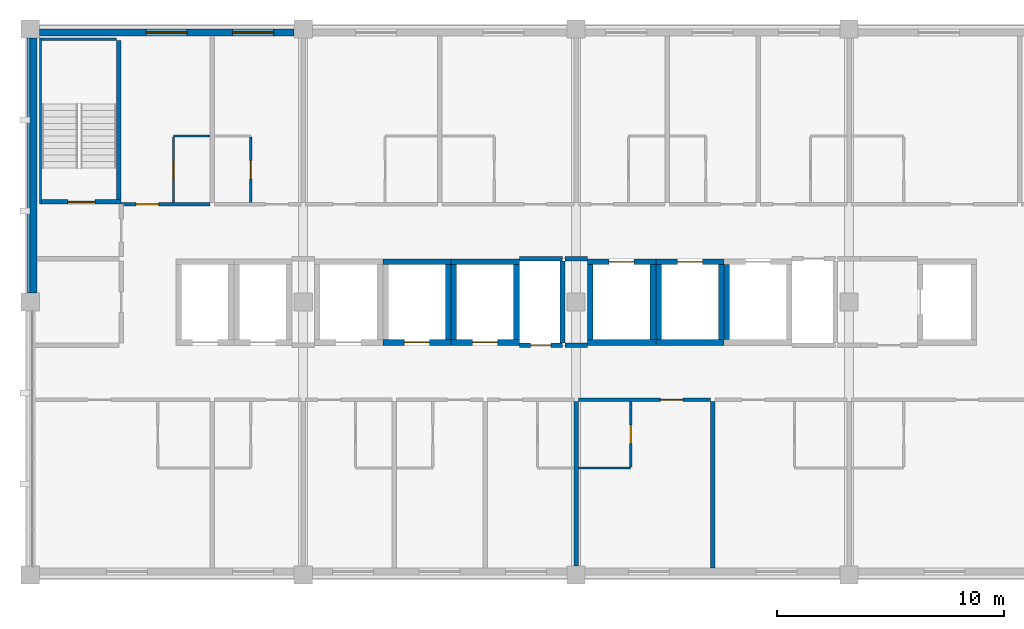
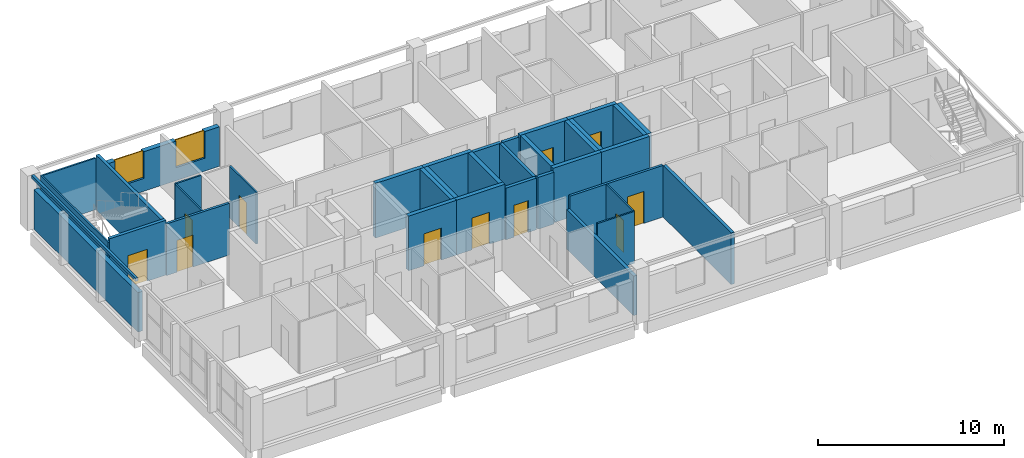
# One storey, part 7 of 11: 37 walls, 11 doors, 2 windows, 13 openings.
"""IFC4 building model written with IfcOpenShell, lengths in metres."""

from ifc_helpers import new_model, si_unit, direction, frame, frame_2d, origin, place, context, subcontext, project, spatial, rectangle, extrude, material, layer, layer_set, type_object, element, fill, save


model = new_model("IFC4")

# Units and contexts
model_context = context("Model", 3, precision=1e-05, world=origin(), true_north=direction((0.0, 1.0)))
body_context = subcontext(model_context, "Body", "Model", "MODEL_VIEW")
ifc_project = project(units=[si_unit("LENGTHUNIT", "METRE"), si_unit("AREAUNIT", "SQUARE_METRE"), si_unit("VOLUMEUNIT", "CUBIC_METRE"), si_unit("PLANEANGLEUNIT", "RADIAN"), si_unit("MASSUNIT", "GRAM", prefix="KILO")], contexts=[model_context])

# Site, building, storey
site_placement = place(None, origin())
site = spatial("IfcSite", under=ifc_project, at=site_placement, CompositionType="ELEMENT")
building_placement = place(site_placement, origin())
building = spatial("IfcBuilding", under=site, at=building_placement, Name="Lilac Gate Convention Centre", CompositionType="ELEMENT")
storey_placement = place(building_placement, frame((0.0, 0.0, 46.199951171875)))
storey = spatial("IfcBuildingStorey", under=building, at=storey_placement, Name="L11", CompositionType="ELEMENT", Elevation=46.199951171875)

# Walls
ifc_material_1 = material(Name="Concrete C50", Category="concrete")
ifc_layer_1 = layer(ifc_material_1, 0.10009765625)
ifc_layer_set_1 = layer_set([ifc_layer_1], Name="Concrete C50")
wall_type_1 = type_object("IfcWallType", Name="Core wall 100 C50", PredefinedType="SHEAR", material=ifc_layer_set_1)
wall_1_placement = place(storey_placement, frame((42.449951171875, 238.300048828125, 0.0), z_axis=(0.0, 0.0, 1.0), x_axis=(0.0, 1.0, 0.0)))
element("IfcWall", 1, at=wall_1_placement, inside=storey, type_object=wall_type_1, Name="CRW9 core wall TS-WX L11 1", PredefinedType="SHEAR", context=body_context, shape_type="SweptSolid", body=[
    extrude(rectangle(XDim=7.300048828125, YDim=0.10009765625, at=frame_2d((3.64990234375, 0.0))), origin(), (0.0, 0.0, 1.0), 3.400146484375),
])
wall_2_placement = place(storey_placement, frame((42.5, 245.550048828125, 0.0), z_axis=(0.0, 0.0, 1.0), x_axis=(1.0, 0.0, 0.0)))
element("IfcWall", 2, at=wall_2_placement, inside=storey, type_object=wall_type_1, Name="CRW9 core wall TS-WX L11 2", PredefinedType="SHEAR", context=body_context, shape_type="SweptSolid", body=[
    extrude(rectangle(XDim=3.300048828125, YDim=0.10009765625, at=frame_2d((1.64990234375, 0.0))), origin(), (0.0, 0.0, 1.0), 3.400146484375),
])

# Wall, opening, door
ifc_layer_2 = layer(ifc_material_1, 0.199951171875)
ifc_layer_set_2 = layer_set([ifc_layer_2], Name="Concrete C50")
wall_type_2 = type_object("IfcWallType", Name="Core wall 200 C50", PredefinedType="SHEAR", material=ifc_layer_set_2)
wall_3_placement = place(storey_placement, frame((42.5, 238.39990234375, 0.0), z_axis=(0.0, 0.0, 1.0), x_axis=(1.0, 0.0, 0.0)))
wall_3 = element("IfcWall", 3, at=wall_3_placement, inside=storey, type_object=wall_type_2, Name="CRW6 core wall TS-W L11 1", PredefinedType="SHEAR", context=body_context, shape_type="SweptSolid", body=[
    extrude(rectangle(XDim=3.5, YDim=0.199951171875, at=frame_2d((1.75, 0.0))), origin(), (0.0, 0.0, 1.0), 3.60009765625),
])
opening_1_placement = place(wall_3_placement, frame((1.14990234375, 0.0, 0.0)))
opening_1 = element("IfcOpeningElement", 4, at=opening_1_placement, cuts=wall_3, Name="Opening T10-051", PredefinedType="OPENING", context=body_context, shape_type="SweptSolid", body=[
    extrude(rectangle(XDim=1.199951171875, YDim=2.10009765625, at=frame_2d((0.60009765625, 1.050048828125))), frame((0.0, 0.10986328125, 0.0), z_axis=(0.0, -1.0, 0.0), x_axis=(1.0, 0.0, 0.0)), (0.0, 0.0, 1.0), 0.219970703125),
])
ifc_material_2 = material(Name="Steel Q235B", Category="steel")
door_type_1 = type_object("IfcDoorType", Name="Stair door 1200", OperationType="SINGLE_SWING_LEFT", PredefinedType="DOOR", material=ifc_material_2)
door_1_placement = place(opening_1_placement, origin())
door_1 = element("IfcDoor", 5, at=door_1_placement, inside=storey, type_object=door_type_1, Name="Stair door NW L11", OperationType="SINGLE_SWING_RIGHT", OverallHeight=2.10009765625, OverallWidth=1.199951171875, PredefinedType="DOOR", context=body_context, shape_type="SweptSolid", body=[
    extrude(rectangle(XDim=1.199951171875, YDim=2.10009765625, at=frame_2d((0.60009765625, 1.050048828125))), frame((0.0, 0.02490234375, 0.0), z_axis=(0.0, -1.0, 0.0), x_axis=(1.0, 0.0, 0.0)), (0.0, 0.0, 1.0), 0.050048828125),
])
fill(opening_1, door_1)

# Wall
wall_4_placement = place(storey_placement, frame((45.89990234375, 238.5, 0.0), z_axis=(0.0, 0.0, 1.0), x_axis=(0.0, 1.0, 0.0)))
element("IfcWall", 6, at=wall_4_placement, inside=storey, type_object=wall_type_2, Name="CRW6 core wall TS-W L11 2", PredefinedType="SHEAR", context=body_context, shape_type="SweptSolid", body=[
    extrude(rectangle(XDim=7.0, YDim=0.199951171875, at=frame_2d((3.5, 0.0))), origin(), (0.0, 0.0, 1.0), 3.60009765625),
])

# Wall, opening, door
ifc_layer_3 = layer(ifc_material_1, 0.25)
ifc_layer_set_3 = layer_set([ifc_layer_3], Name="Concrete C50")
wall_type_3 = type_object("IfcWallType", Name="Core wall 250 C50", PredefinedType="SHEAR", material=ifc_layer_set_3)
wall_5_placement = place(storey_placement, frame((57.5, 232.22509765625, 0.0), z_axis=(0.0, 0.0, 1.0), x_axis=(1.0, 0.0, 0.0)))
wall_5 = element("IfcWall", 7, at=wall_5_placement, inside=storey, type_object=wall_type_3, Name="CRW4 core wall TC L11 5", PredefinedType="SHEAR", context=body_context, shape_type="SweptSolid", body=[
    extrude(rectangle(XDim=3.0, YDim=0.25, at=frame_2d((1.5, 0.0))), origin(), (0.0, 0.0, 1.0), 3.60009765625),
])
opening_2_placement = place(wall_5_placement, frame((0.949951171875, 0.0, 0.0)))
opening_2 = element("IfcOpeningElement", 8, at=opening_2_placement, cuts=wall_5, Name="Opening T10-043", PredefinedType="OPENING", context=body_context, shape_type="SweptSolid", body=[
    extrude(rectangle(XDim=1.10009765625, YDim=2.10009765625, at=frame_2d((0.550048828125, 1.050048828125))), frame((0.0, 0.135009765625, 0.0), z_axis=(0.0, -1.0, 0.0), x_axis=(1.0, 0.0, 0.0)), (0.0, 0.0, 1.0), 0.27001953125),
])
ifc_material_3 = material(Name="Stainless steel 304", Category="steel")
door_type_2 = type_object("IfcDoorType", Name="Lift landing door 1100", OperationType="SLIDING_TO_LEFT", PredefinedType="DOOR", material=ifc_material_3)
door_2_placement = place(opening_2_placement, origin())
door_2 = element("IfcDoor", 9, at=door_2_placement, inside=storey, type_object=door_type_2, Name="Lift landing door TP2 L11", OperationType="SLIDING_TO_LEFT", OverallHeight=2.10009765625, OverallWidth=1.10009765625, PredefinedType="DOOR", context=body_context, shape_type="SweptSolid", body=[
    extrude(rectangle(XDim=1.10009765625, YDim=2.10009765625, at=frame_2d((0.550048828125, 1.050048828125))), frame((0.0, 0.02490234375, 0.0), z_axis=(0.0, -1.0, 0.0), x_axis=(1.0, 0.0, 0.0)), (0.0, 0.0, 1.0), 0.050048828125),
])
fill(opening_2, door_2)

# Walls
wall_6_placement = place(storey_placement, frame((57.5, 235.77490234375, 0.0), z_axis=(0.0, 0.0, 1.0), x_axis=(1.0, 0.0, 0.0)))
element("IfcWall", 10, at=wall_6_placement, inside=storey, type_object=wall_type_3, Name="CRW4 core wall TC L11 6", PredefinedType="SHEAR", context=body_context, shape_type="SweptSolid", body=[
    extrude(rectangle(XDim=3.0, YDim=0.25, at=frame_2d((1.5, 0.0))), origin(), (0.0, 0.0, 1.0), 3.60009765625),
])
wall_7_placement = place(storey_placement, frame((60.375, 232.35009765625, 0.0), z_axis=(0.0, 0.0, 1.0), x_axis=(0.0, 1.0, 0.0)))
element("IfcWall", 11, at=wall_7_placement, inside=storey, type_object=wall_type_3, Name="CRW4 core wall TC L11 8", PredefinedType="SHEAR", context=body_context, shape_type="SweptSolid", body=[
    extrude(rectangle(XDim=3.2998046875, YDim=0.25, at=frame_2d((1.64990234375, 0.0))), origin(), (0.0, 0.0, 1.0), 3.60009765625),
])

# Wall, opening, door
wall_8_placement = place(storey_placement, frame((60.5, 232.22509765625, 0.0), z_axis=(0.0, 0.0, 1.0), x_axis=(1.0, 0.0, 0.0)))
wall_8 = element("IfcWall", 12, at=wall_8_placement, inside=storey, type_object=wall_type_3, Name="CRW4 core wall TC L11 9", PredefinedType="SHEAR", context=body_context, shape_type="SweptSolid", body=[
    extrude(rectangle(XDim=3.0, YDim=0.25, at=frame_2d((1.5, 0.0))), origin(), (0.0, 0.0, 1.0), 3.60009765625),
])
opening_3_placement = place(wall_8_placement, frame((0.949951171875, 0.0, 0.0)))
opening_3 = element("IfcOpeningElement", 13, at=opening_3_placement, cuts=wall_8, Name="Opening T10-044", PredefinedType="OPENING", context=body_context, shape_type="SweptSolid", body=[
    extrude(rectangle(XDim=1.10009765625, YDim=2.10009765625, at=frame_2d((0.550048828125, 1.050048828125))), frame((0.0, 0.135009765625, 0.0), z_axis=(0.0, -1.0, 0.0), x_axis=(1.0, 0.0, 0.0)), (0.0, 0.0, 1.0), 0.27001953125),
])
door_3_placement = place(opening_3_placement, origin())
door_3 = element("IfcDoor", 14, at=door_3_placement, inside=storey, type_object=door_type_2, Name="Lift landing door TP3 L11", OperationType="SLIDING_TO_LEFT", OverallHeight=2.10009765625, OverallWidth=1.10009765625, PredefinedType="DOOR", context=body_context, shape_type="SweptSolid", body=[
    extrude(rectangle(XDim=1.10009765625, YDim=2.10009765625, at=frame_2d((0.550048828125, 1.050048828125))), frame((0.0, 0.02490234375, 0.0), z_axis=(0.0, -1.0, 0.0), x_axis=(1.0, 0.0, 0.0)), (0.0, 0.0, 1.0), 0.050048828125),
])
fill(opening_3, door_3)

# Walls
wall_9_placement = place(storey_placement, frame((60.5, 235.77490234375, 0.0), z_axis=(0.0, 0.0, 1.0), x_axis=(1.0, 0.0, 0.0)))
element("IfcWall", 15, at=wall_9_placement, inside=storey, type_object=wall_type_3, Name="CRW4 core wall TC L11 10", PredefinedType="SHEAR", context=body_context, shape_type="SweptSolid", body=[
    extrude(rectangle(XDim=3.0, YDim=0.25, at=frame_2d((1.5, 0.0))), origin(), (0.0, 0.0, 1.0), 3.60009765625),
])
for number, where, z_axis, x_axis, name in (
    (16, (60.625, 232.35009765625, 0.0), (0.0, 0.0, 1.0), (0.0, 1.0, 0.0), "CRW4 core wall TC L11 11"),
    (17, (63.375, 232.35009765625, 0.0), (0.0, 0.0, 1.0), (0.0, 1.0, 0.0), "CRW4 core wall TC L11 12"),
):
    element("IfcWall", number, at=place(storey_placement, frame(where, z_axis=z_axis, x_axis=x_axis)), inside=storey, type_object=wall_type_3, Name=name, PredefinedType="SHEAR", context=body_context, shape_type="SweptSolid", body=[
        extrude(rectangle(XDim=3.2998046875, YDim=0.25, at=frame_2d((1.64990234375, 0.0))), origin(), (0.0, 0.0, 1.0), 3.60009765625),
    ])
wall_10_placement = place(storey_placement, frame((66.5, 232.22509765625, 0.0), z_axis=(0.0, 0.0, 1.0), x_axis=(1.0, 0.0, 0.0)))
element("IfcWall", 18, at=wall_10_placement, inside=storey, type_object=wall_type_3, Name="CRW4 core wall TC L11 13", PredefinedType="SHEAR", context=body_context, shape_type="SweptSolid", body=[
    extrude(rectangle(XDim=3.0, YDim=0.25, at=frame_2d((1.5, 0.0))), origin(), (0.0, 0.0, 1.0), 3.60009765625),
])

# Wall, opening, door
wall_11_placement = place(storey_placement, frame((66.5, 235.77490234375, 0.0), z_axis=(0.0, 0.0, 1.0), x_axis=(1.0, 0.0, 0.0)))
wall_11 = element("IfcWall", 19, at=wall_11_placement, inside=storey, type_object=wall_type_3, Name="CRW4 core wall TC L11 14", PredefinedType="SHEAR", context=body_context, shape_type="SweptSolid", body=[
    extrude(rectangle(XDim=3.0, YDim=0.25, at=frame_2d((1.5, 0.0))), origin(), (0.0, 0.0, 1.0), 3.60009765625),
])
opening_4_placement = place(wall_11_placement, frame((0.949951171875, 0.0, 0.0)))
opening_4 = element("IfcOpeningElement", 20, at=opening_4_placement, cuts=wall_11, Name="Opening T10-045", PredefinedType="OPENING", context=body_context, shape_type="SweptSolid", body=[
    extrude(rectangle(XDim=1.10009765625, YDim=2.10009765625, at=frame_2d((0.550048828125, 1.050048828125))), frame((0.0, 0.135009765625, 0.0), z_axis=(0.0, -1.0, 0.0), x_axis=(1.0, 0.0, 0.0)), (0.0, 0.0, 1.0), 0.27001953125),
])
door_4_placement = place(opening_4_placement, origin())
door_4 = element("IfcDoor", 21, at=door_4_placement, inside=storey, type_object=door_type_2, Name="Lift landing door TP4 L11", OperationType="SLIDING_TO_LEFT", OverallHeight=2.10009765625, OverallWidth=1.10009765625, PredefinedType="DOOR", context=body_context, shape_type="SweptSolid", body=[
    extrude(rectangle(XDim=1.10009765625, YDim=2.10009765625, at=frame_2d((0.550048828125, 1.050048828125))), frame((0.0, 0.02490234375, 0.0), z_axis=(0.0, -1.0, 0.0), x_axis=(1.0, 0.0, 0.0)), (0.0, 0.0, 1.0), 0.050048828125),
])
fill(opening_4, door_4)

# Walls
for number, where, z_axis, x_axis, name in (
    (22, (66.625, 232.35009765625, 0.0), (0.0, 0.0, 1.0), (0.0, 1.0, 0.0), "CRW4 core wall TC L11 15"),
    (23, (69.375, 232.35009765625, 0.0), (0.0, 0.0, 1.0), (0.0, 1.0, 0.0), "CRW4 core wall TC L11 16"),
):
    element("IfcWall", number, at=place(storey_placement, frame(where, z_axis=z_axis, x_axis=x_axis)), inside=storey, type_object=wall_type_3, Name=name, PredefinedType="SHEAR", context=body_context, shape_type="SweptSolid", body=[
        extrude(rectangle(XDim=3.2998046875, YDim=0.25, at=frame_2d((1.64990234375, 0.0))), origin(), (0.0, 0.0, 1.0), 3.60009765625),
    ])
wall_12_placement = place(storey_placement, frame((69.5, 232.22509765625, 0.0), z_axis=(0.0, 0.0, 1.0), x_axis=(1.0, 0.0, 0.0)))
element("IfcWall", 24, at=wall_12_placement, inside=storey, type_object=wall_type_3, Name="CRW4 core wall TC L11 17", PredefinedType="SHEAR", context=body_context, shape_type="SweptSolid", body=[
    extrude(rectangle(XDim=3.0, YDim=0.25, at=frame_2d((1.5, 0.0))), origin(), (0.0, 0.0, 1.0), 3.60009765625),
])

# Wall, opening, door
wall_13_placement = place(storey_placement, frame((69.5, 235.77490234375, 0.0), z_axis=(0.0, 0.0, 1.0), x_axis=(1.0, 0.0, 0.0)))
wall_13 = element("IfcWall", 25, at=wall_13_placement, inside=storey, type_object=wall_type_3, Name="CRW4 core wall TC L11 18", PredefinedType="SHEAR", context=body_context, shape_type="SweptSolid", body=[
    extrude(rectangle(XDim=3.0, YDim=0.25, at=frame_2d((1.5, 0.0))), origin(), (0.0, 0.0, 1.0), 3.60009765625),
])
opening_5_placement = place(wall_13_placement, frame((0.949951171875, 0.0, 0.0)))
opening_5 = element("IfcOpeningElement", 26, at=opening_5_placement, cuts=wall_13, Name="Opening T10-046", PredefinedType="OPENING", context=body_context, shape_type="SweptSolid", body=[
    extrude(rectangle(XDim=1.10009765625, YDim=2.10009765625, at=frame_2d((0.550048828125, 1.050048828125))), frame((0.0, 0.135009765625, 0.0), z_axis=(0.0, -1.0, 0.0), x_axis=(1.0, 0.0, 0.0)), (0.0, 0.0, 1.0), 0.27001953125),
])
door_5_placement = place(opening_5_placement, origin())
door_5 = element("IfcDoor", 27, at=door_5_placement, inside=storey, type_object=door_type_2, Name="Lift landing door TP5 L11", OperationType="SLIDING_TO_LEFT", OverallHeight=2.10009765625, OverallWidth=1.10009765625, PredefinedType="DOOR", context=body_context, shape_type="SweptSolid", body=[
    extrude(rectangle(XDim=1.10009765625, YDim=2.10009765625, at=frame_2d((0.550048828125, 1.050048828125))), frame((0.0, 0.02490234375, 0.0), z_axis=(0.0, -1.0, 0.0), x_axis=(1.0, 0.0, 0.0)), (0.0, 0.0, 1.0), 0.050048828125),
])
fill(opening_5, door_5)

# Walls
for number, where, z_axis, x_axis, name in (
    (28, (69.625, 232.35009765625, 0.0), (0.0, 0.0, 1.0), (0.0, 1.0, 0.0), "CRW4 core wall TC L11 19"),
    (29, (72.375, 232.35009765625, 0.0), (0.0, 0.0, 1.0), (0.0, 1.0, 0.0), "CRW4 core wall TC L11 20"),
    (30, (72.625, 232.35009765625, 0.0), (0.0, 0.0, 1.0), (0.0, 1.0, 0.0), "CRW4 core wall TC L11 23"),
):
    element("IfcWall", number, at=place(storey_placement, frame(where, z_axis=z_axis, x_axis=x_axis)), inside=storey, type_object=wall_type_3, Name=name, PredefinedType="SHEAR", context=body_context, shape_type="SweptSolid", body=[
        extrude(rectangle(XDim=3.2998046875, YDim=0.25, at=frame_2d((1.64990234375, 0.0))), origin(), (0.0, 0.0, 1.0), 3.60009765625),
    ])

# Wall, opening, door
ifc_material_4 = material(Name="Gypsum board on steel stud", Category="steel")
ifc_layer_4 = layer(ifc_material_4, 0.14990234375)
ifc_layer_set_4 = layer_set([ifc_layer_4], Name="Gypsum board on steel stud")
wall_type_4 = type_object("IfcWallType", Name="Corridor wall 150", PredefinedType="PARTITIONING", material=ifc_layer_set_4)
wall_14_placement = place(storey_placement, frame((71.89990234375, 229.699951171875, 0.0), z_axis=(0.0, 0.0, 1.0), x_axis=(-1.0, 0.0, 0.0)))
wall_14 = element("IfcWall", 31, at=wall_14_placement, inside=storey, type_object=wall_type_4, Name="Corridor wall 150 front 1106", PredefinedType="PARTITIONING", context=body_context, shape_type="SweptSolid", body=[
    extrude(rectangle(XDim=5.7998046875, YDim=0.14990234375, at=frame_2d((2.89990234375, 0.0))), origin(), (0.0, 0.0, 1.0), 3.400146484375),
])
opening_6_placement = place(wall_14_placement, frame((1.199951171875, 0.0, 0.0)))
opening_6 = element("IfcOpeningElement", 32, at=opening_6_placement, cuts=wall_14, Name="Opening T10-018", PredefinedType="OPENING", context=body_context, shape_type="SweptSolid", body=[
    extrude(rectangle(XDim=1.0, YDim=2.10009765625, at=frame_2d((0.5, 1.050048828125))), frame((0.0, 0.0849609375, 0.0), z_axis=(0.0, -1.0, 0.0), x_axis=(1.0, 0.0, 0.0)), (0.0, 0.0, 1.0), 0.169921875),
])
ifc_material_5 = material(Name="Timber", Category="wood")
door_type_3 = type_object("IfcDoorType", Name="Guest room entrance door 1000", OperationType="SINGLE_SWING_LEFT", PredefinedType="DOOR", material=ifc_material_5)
door_6_placement = place(opening_6_placement, origin())
door_6 = element("IfcDoor", 33, at=door_6_placement, inside=storey, type_object=door_type_3, Name="Guest room door 1106", OperationType="SINGLE_SWING_LEFT", OverallHeight=2.10009765625, OverallWidth=1.0, PredefinedType="DOOR", context=body_context, shape_type="SweptSolid", body=[
    extrude(rectangle(XDim=1.0, YDim=2.10009765625, at=frame_2d((0.5, 1.050048828125))), frame((0.0, 0.02490234375, 0.0), z_axis=(0.0, -1.0, 0.0), x_axis=(1.0, 0.0, 0.0)), (0.0, 0.0, 1.0), 0.050048828125),
])
fill(opening_6, door_6)

wall_15_placement = place(storey_placement, frame((46.0, 238.300048828125, 0.0), z_axis=(0.0, 0.0, 1.0), x_axis=(1.0, 0.0, 0.0)))
wall_15 = element("IfcWall", 34, at=wall_15_placement, inside=storey, type_object=wall_type_4, Name="Corridor wall 150 front 1109", PredefinedType="PARTITIONING", context=body_context, shape_type="SweptSolid", body=[
    extrude(rectangle(XDim=3.89990234375, YDim=0.14990234375, at=frame_2d((1.949951171875, 0.0))), origin(), (0.0, 0.0, 1.0), 3.400146484375),
])
opening_7_placement = place(wall_15_placement, frame((0.64990234375, 0.0, 0.0)))
opening_7 = element("IfcOpeningElement", 35, at=opening_7_placement, cuts=wall_15, Name="Opening T10-024", PredefinedType="OPENING", context=body_context, shape_type="SweptSolid", body=[
    extrude(rectangle(XDim=1.0, YDim=2.10009765625, at=frame_2d((0.5, 1.050048828125))), frame((0.0, 0.0849609375, 0.0), z_axis=(0.0, -1.0, 0.0), x_axis=(1.0, 0.0, 0.0)), (0.0, 0.0, 1.0), 0.169921875),
])
door_7_placement = place(opening_7_placement, origin())
door_7 = element("IfcDoor", 36, at=door_7_placement, inside=storey, type_object=door_type_3, Name="Guest room door 1109", OperationType="SINGLE_SWING_LEFT", OverallHeight=2.10009765625, OverallWidth=1.0, PredefinedType="DOOR", context=body_context, shape_type="SweptSolid", body=[
    extrude(rectangle(XDim=1.0, YDim=2.10009765625, at=frame_2d((0.5, 1.050048828125))), frame((0.0, 0.02490234375, 0.0), z_axis=(0.0, -1.0, 0.0), x_axis=(1.0, 0.0, 0.0)), (0.0, 0.0, 1.0), 0.050048828125),
])
fill(opening_7, door_7)

# Wall
ifc_layer_5 = layer(ifc_material_4, 0.10009765625)
ifc_layer_set_5 = layer_set([ifc_layer_5], Name="Gypsum board on steel stud")
wall_type_5 = type_object("IfcWallType", Name="En-suite wall 100", PredefinedType="PARTITIONING", material=ifc_layer_set_5)
wall_16_placement = place(storey_placement, frame((66.10009765625, 226.699951171875, 0.0), z_axis=(0.0, 0.0, 1.0), x_axis=(1.0, 0.0, 0.0)))
element("IfcWall", 37, at=wall_16_placement, inside=storey, type_object=wall_type_5, Name="En-suite wall 100 bath 1106", PredefinedType="PARTITIONING", context=body_context, shape_type="SweptSolid", body=[
    extrude(rectangle(XDim=2.2998046875, YDim=0.10009765625, at=frame_2d((1.14990234375, 0.0))), origin(), (0.0, 0.0, 1.0), 3.400146484375),
])

# Wall, opening, door
wall_17_placement = place(storey_placement, frame((68.39990234375, 229.625, 0.0), z_axis=(0.0, 0.0, 1.0), x_axis=(0.0, -1.0, 0.0)))
wall_17 = element("IfcWall", 38, at=wall_17_placement, inside=storey, type_object=wall_type_5, Name="En-suite wall 100 bath side 1106", PredefinedType="PARTITIONING", context=body_context, shape_type="SweptSolid", body=[
    extrude(rectangle(XDim=2.875, YDim=0.10009765625, at=frame_2d((1.4375, 0.0))), origin(), (0.0, 0.0, 1.0), 3.400146484375),
])
opening_8_placement = place(wall_17_placement, frame((1.03759765625, 0.0, 0.0)))
opening_8 = element("IfcOpeningElement", 39, at=opening_8_placement, cuts=wall_17, Name="Opening T10-019", PredefinedType="OPENING", context=body_context, shape_type="SweptSolid", body=[
    extrude(rectangle(XDim=0.800048828125, YDim=2.10009765625, at=frame_2d((0.39990234375, 1.050048828125))), frame((0.0, 0.06005859375, 0.0), z_axis=(0.0, -1.0, 0.0), x_axis=(1.0, 0.0, 0.0)), (0.0, 0.0, 1.0), 0.1201171875),
])
door_type_4 = type_object("IfcDoorType", Name="En-suite door 800", OperationType="SINGLE_SWING_LEFT", PredefinedType="DOOR", material=ifc_material_5)
door_8_placement = place(opening_8_placement, origin())
door_8 = element("IfcDoor", 40, at=door_8_placement, inside=storey, type_object=door_type_4, Name="En-suite door 1106", OperationType="SINGLE_SWING_LEFT", OverallHeight=2.10009765625, OverallWidth=0.800048828125, PredefinedType="DOOR", context=body_context, shape_type="SweptSolid", body=[
    extrude(rectangle(XDim=0.800048828125, YDim=2.10009765625, at=frame_2d((0.39990234375, 1.050048828125))), frame((0.0, 0.02490234375, 0.0), z_axis=(0.0, -1.0, 0.0), x_axis=(1.0, 0.0, 0.0)), (0.0, 0.0, 1.0), 0.050048828125),
])
fill(opening_8, door_8)

# Wall
wall_18_placement = place(storey_placement, frame((48.300048828125, 241.300048828125, 0.0), z_axis=(0.0, 0.0, 1.0), x_axis=(1.0, 0.0, 0.0)))
element("IfcWall", 41, at=wall_18_placement, inside=storey, type_object=wall_type_5, Name="En-suite wall 100 bath 1109", PredefinedType="PARTITIONING", context=body_context, shape_type="SweptSolid", body=[
    extrude(rectangle(XDim=1.599853515625, YDim=0.10009765625, at=frame_2d((0.7998046875, 0.0))), origin(), (0.0, 0.0, 1.0), 3.400146484375),
])

# Wall, opening, door
wall_19_placement = place(storey_placement, frame((48.300048828125, 238.375, 0.0), z_axis=(0.0, 0.0, 1.0), x_axis=(0.0, 1.0, 0.0)))
wall_19 = element("IfcWall", 42, at=wall_19_placement, inside=storey, type_object=wall_type_5, Name="En-suite wall 100 bath side 1109", PredefinedType="PARTITIONING", context=body_context, shape_type="SweptSolid", body=[
    extrude(rectangle(XDim=2.875, YDim=0.10009765625, at=frame_2d((1.4375, 0.0))), origin(), (0.0, 0.0, 1.0), 3.400146484375),
])
opening_9_placement = place(wall_19_placement, frame((1.03759765625, 0.0, 0.0)))
opening_9 = element("IfcOpeningElement", 43, at=opening_9_placement, cuts=wall_19, Name="Opening T10-025", PredefinedType="OPENING", context=body_context, shape_type="SweptSolid", body=[
    extrude(rectangle(XDim=0.800048828125, YDim=2.10009765625, at=frame_2d((0.39990234375, 1.050048828125))), frame((0.0, 0.06005859375, 0.0), z_axis=(0.0, -1.0, 0.0), x_axis=(1.0, 0.0, 0.0)), (0.0, 0.0, 1.0), 0.1201171875),
])
door_9_placement = place(opening_9_placement, origin())
door_9 = element("IfcDoor", 44, at=door_9_placement, inside=storey, type_object=door_type_4, Name="En-suite door 1109", OperationType="SINGLE_SWING_LEFT", OverallHeight=2.10009765625, OverallWidth=0.800048828125, PredefinedType="DOOR", context=body_context, shape_type="SweptSolid", body=[
    extrude(rectangle(XDim=0.800048828125, YDim=2.10009765625, at=frame_2d((0.39990234375, 1.050048828125))), frame((0.0, 0.02490234375, 0.0), z_axis=(0.0, -1.0, 0.0), x_axis=(1.0, 0.0, 0.0)), (0.0, 0.0, 1.0), 0.050048828125),
])
fill(opening_9, door_9)

wall_20_placement = place(storey_placement, frame((51.699951171875, 241.25, 0.0), z_axis=(0.0, 0.0, 1.0), x_axis=(0.0, -1.0, 0.0)))
wall_20 = element("IfcWall", 45, at=wall_20_placement, inside=storey, type_object=wall_type_5, Name="En-suite wall 100 bath side 1110", PredefinedType="PARTITIONING", context=body_context, shape_type="SweptSolid", body=[
    extrude(rectangle(XDim=2.875, YDim=0.10009765625, at=frame_2d((1.4375, 0.0))), origin(), (0.0, 0.0, 1.0), 3.400146484375),
])
opening_10_placement = place(wall_20_placement, frame((1.03759765625, 0.0, 0.0)))
opening_10 = element("IfcOpeningElement", 46, at=opening_10_placement, cuts=wall_20, Name="Opening T10-027", PredefinedType="OPENING", context=body_context, shape_type="SweptSolid", body=[
    extrude(rectangle(XDim=0.800048828125, YDim=2.10009765625, at=frame_2d((0.39990234375, 1.050048828125))), frame((0.0, 0.06005859375, 0.0), z_axis=(0.0, -1.0, 0.0), x_axis=(1.0, 0.0, 0.0)), (0.0, 0.0, 1.0), 0.1201171875),
])
door_10_placement = place(opening_10_placement, origin())
door_10 = element("IfcDoor", 47, at=door_10_placement, inside=storey, type_object=door_type_4, Name="En-suite door 1110", OperationType="SINGLE_SWING_RIGHT", OverallHeight=2.10009765625, OverallWidth=0.800048828125, PredefinedType="DOOR", context=body_context, shape_type="SweptSolid", body=[
    extrude(rectangle(XDim=0.800048828125, YDim=2.10009765625, at=frame_2d((0.39990234375, 1.050048828125))), frame((0.0, 0.02490234375, 0.0), z_axis=(0.0, -1.0, 0.0), x_axis=(1.0, 0.0, 0.0)), (0.0, 0.0, 1.0), 0.050048828125),
])
fill(opening_10, door_10)

# Walls
ifc_layer_6 = layer(ifc_material_4, 0.199951171875)
ifc_layer_set_6 = layer_set([ifc_layer_6], Name="Gypsum board on steel stud")
wall_type_6 = type_object("IfcWallType", Name="Guest room party wall 200", PredefinedType="PARTITIONING", material=ifc_layer_set_6)
wall_21_placement = place(storey_placement, frame((66.0, 222.39990234375, 0.0), z_axis=(0.0, 0.0, 1.0), x_axis=(0.0, 1.0, 0.0)))
element("IfcWall", 48, at=wall_21_placement, inside=storey, type_object=wall_type_6, Name="Guest room party wall 200 party 66.0", PredefinedType="PARTITIONING", context=body_context, shape_type="SweptSolid", body=[
    extrude(rectangle(XDim=7.22509765625, YDim=0.199951171875, at=frame_2d((3.612548828125, 0.0))), origin(), (0.0, 0.0, 1.0), 2.60009765625),
])
wall_22_placement = place(storey_placement, frame((72.0, 222.2998046875, 0.0), z_axis=(0.0, 0.0, 1.0), x_axis=(0.0, 1.0, 0.0)))
element("IfcWall", 49, at=wall_22_placement, inside=storey, type_object=wall_type_6, Name="Guest room party wall 200 party 72.0", PredefinedType="PARTITIONING", context=body_context, shape_type="SweptSolid", body=[
    extrude(rectangle(XDim=7.3251953125, YDim=0.199951171875, at=frame_2d((3.66259765625, 0.0))), origin(), (0.0, 0.0, 1.0), 3.400146484375),
])
ifc_material_6 = material(Name="Concrete C40 precast", Category="concrete")
ifc_layer_7 = layer(ifc_material_6, 0.1298828125)
ifc_material_7 = material(Name="Teal glazed cladding")
ifc_layer_8 = layer(ifc_material_7, 0.02001953125)
ifc_layer_set_7 = layer_set([ifc_layer_7, ifc_layer_8], Name="Concrete C40 precast, Teal glazed cladding")
wall_type_7 = type_object("IfcWallType", Name="Precast band teal 150", PredefinedType="STANDARD", material=ifc_layer_set_7)
wall_23_placement = place(storey_placement, frame((41.925048828125, 245.60009765625, 3.400146484375), z_axis=(0.0, 0.0, 1.0), x_axis=(0.0, -1.0, 0.0)))
element("IfcWall", 50, at=wall_23_placement, inside=storey, type_object=wall_type_7, Name="Precast band W L11 1", PredefinedType="STANDARD", context=body_context, shape_type="SweptSolid", body=[
    extrude(rectangle(XDim=11.2001953125, YDim=0.14990234375, at=frame_2d((5.60009765625, 0.0))), origin(), (0.0, 0.0, 1.0), 0.199951171875),
])

# Wall, openings, windows
ifc_material_8 = material(Name="Ochre mineral render")
ifc_layer_9 = layer(ifc_material_8, 0.02001953125)
ifc_layer_10 = layer(ifc_material_6, 0.06005859375)
ifc_material_9 = material(Name="Ventilated air cavity")
ifc_layer_11 = layer(ifc_material_9, 0.030029296875)
ifc_material_10 = material(Name="Mineral wool insulation")
ifc_layer_12 = layer(ifc_material_10, 0.1201171875)
ifc_material_11 = material(Name="Steel stud Q345 and gypsum lining", Category="steel")
ifc_layer_13 = layer(ifc_material_11, 0.070068359375)
ifc_layer_set_8 = layer_set([ifc_layer_9, ifc_layer_10, ifc_layer_11, ifc_layer_12, ifc_layer_13], Name="Ochre mineral render, Concrete C40 precast, Ventilated air cavity, Mineral wool insulation, Steel stud Q345 and gypsum lining")
wall_type_8 = type_object("IfcWallType", Name="Precast panel wall ochre 300", PredefinedType="STANDARD", material=ifc_layer_set_8)
wall_24_placement = place(storey_placement, frame((53.60009765625, 245.85009765625, 0.0), z_axis=(0.0, 0.0, 1.0), x_axis=(-1.0, 0.0, 0.0)))
wall_24 = element("IfcWall", 51, at=wall_24_placement, inside=storey, type_object=wall_type_8, Name="External wall N L11 4", PredefinedType="STANDARD", context=body_context, shape_type="SweptSolid", body=[
    extrude(rectangle(XDim=11.2001953125, YDim=0.300048828125, at=frame_2d((5.60009765625, 0.0))), origin(), (0.0, 0.0, 1.0), 2.60009765625),
])
opening_11_placement = place(wall_24_placement, frame((4.699951171875, 0.0, 0.85009765625)))
opening_11 = element("IfcOpeningElement", 52, at=opening_11_placement, cuts=wall_24, Name="Opening W1", PredefinedType="OPENING", context=body_context, shape_type="SweptSolid", body=[
    extrude(rectangle(XDim=1.800048828125, YDim=1.75, at=frame_2d((0.89990234375, 0.875))), frame((0.0, 0.159912109375, 0.0), z_axis=(0.0, -1.0, 0.0), x_axis=(1.0, 0.0, 0.0)), (0.0, 0.0, 1.0), 0.320068359375),
])
opening_12_placement = place(wall_24_placement, frame((0.89990234375, 0.0, 0.85009765625)))
opening_12 = element("IfcOpeningElement", 53, at=opening_12_placement, cuts=wall_24, Name="Opening W1", PredefinedType="OPENING", context=body_context, shape_type="SweptSolid", body=[
    extrude(rectangle(XDim=1.800048828125, YDim=1.75, at=frame_2d((0.89990234375, 0.875))), frame((0.0, 0.159912109375, 0.0), z_axis=(0.0, -1.0, 0.0), x_axis=(1.0, 0.0, 0.0)), (0.0, 0.0, 1.0), 0.320068359375),
])
ifc_material_12 = material(Name="Aluminium framed double glazing", Category="aluminium")
window_type = type_object("IfcWindowType", Name="Guest room window 1800 x 1750", PartitioningType="DOUBLE_PANEL_VERTICAL", PredefinedType="WINDOW", material=ifc_material_12)
window_1_placement = place(opening_11_placement, origin())
window_1 = element("IfcWindow", 54, at=window_1_placement, inside=storey, type_object=window_type, Name="Window Guest N L11", OverallHeight=1.75, OverallWidth=1.800048828125, PartitioningType="SINGLE_PANEL", PredefinedType="WINDOW", context=body_context, shape_type="SweptSolid", body=[
    extrude(rectangle(XDim=1.800048828125, YDim=1.75, at=frame_2d((0.89990234375, 0.875))), frame((0.0, 0.030029296875, 0.0), z_axis=(0.0, -1.0, 0.0), x_axis=(1.0, 0.0, 0.0)), (0.0, 0.0, 1.0), 0.06005859375),
])
fill(opening_11, window_1)
window_2_placement = place(opening_12_placement, origin())
window_2 = element("IfcWindow", 55, at=window_2_placement, inside=storey, type_object=window_type, Name="Window Guest N L11", OverallHeight=1.75, OverallWidth=1.800048828125, PartitioningType="SINGLE_PANEL", PredefinedType="WINDOW", context=body_context, shape_type="SweptSolid", body=[
    extrude(rectangle(XDim=1.800048828125, YDim=1.75, at=frame_2d((0.89990234375, 0.875))), frame((0.0, 0.030029296875, 0.0), z_axis=(0.0, -1.0, 0.0), x_axis=(1.0, 0.0, 0.0)), (0.0, 0.0, 1.0), 0.06005859375),
])
fill(opening_12, window_2)

# Wall
wall_25_placement = place(storey_placement, frame((42.14990234375, 245.60009765625, 0.0), z_axis=(0.0, 0.0, 1.0), x_axis=(0.0, -1.0, 0.0)))
element("IfcWall", 56, at=wall_25_placement, inside=storey, type_object=wall_type_8, Name="External wall W L11 1", PredefinedType="STANDARD", context=body_context, shape_type="SweptSolid", body=[
    extrude(rectangle(XDim=11.2001953125, YDim=0.300048828125, at=frame_2d((5.60009765625, 0.0))), origin(), (0.0, 0.0, 1.0), 2.60009765625),
])

# Wall, opening, door
ifc_layer_14 = layer(ifc_material_4, 0.199951171875)
ifc_layer_set_9 = layer_set([ifc_layer_14], Name="Gypsum board on steel stud")
wall_type_9 = type_object("IfcWallType", Name="Riser and store wall 200", PredefinedType="PARTITIONING", material=ifc_layer_set_9)
wall_26_placement = place(storey_placement, frame((63.5, 232.10009765625, 0.0), z_axis=(0.0, 0.0, 1.0), x_axis=(1.0, 0.0, 0.0)))
wall_26 = element("IfcWall", 57, at=wall_26_placement, inside=storey, type_object=wall_type_9, Name="Riser and store wall 200 RS1-S", PredefinedType="PARTITIONING", context=body_context, shape_type="SweptSolid", body=[
    extrude(rectangle(XDim=1.89990234375, YDim=0.199951171875, at=frame_2d((0.949951171875, 0.0))), origin(), (0.0, 0.0, 1.0), 3.400146484375),
])
opening_13_placement = place(wall_26_placement, frame((0.5, 0.0, 0.0)))
opening_13 = element("IfcOpeningElement", 58, at=opening_13_placement, cuts=wall_26, Name="Opening T10-002", PredefinedType="OPENING", context=body_context, shape_type="SweptSolid", body=[
    extrude(rectangle(XDim=0.89990234375, YDim=2.10009765625, at=frame_2d((0.449951171875, 1.050048828125))), frame((0.0, 0.10986328125, 0.0), z_axis=(0.0, -1.0, 0.0), x_axis=(1.0, 0.0, 0.0)), (0.0, 0.0, 1.0), 0.219970703125),
])
door_type_5 = type_object("IfcDoorType", Name="Riser and store door 900", OperationType="SINGLE_SWING_LEFT", PredefinedType="DOOR", material=ifc_material_2)
door_11_placement = place(opening_13_placement, origin())
door_11 = element("IfcDoor", 59, at=door_11_placement, inside=storey, type_object=door_type_5, Name="Riser room door", OperationType="SINGLE_SWING_RIGHT", OverallHeight=2.10009765625, OverallWidth=0.89990234375, PredefinedType="DOOR", context=body_context, shape_type="SweptSolid", body=[
    extrude(rectangle(XDim=0.89990234375, YDim=2.10009765625, at=frame_2d((0.449951171875, 1.050048828125))), frame((0.0, 0.02490234375, 0.0), z_axis=(0.0, -1.0, 0.0), x_axis=(1.0, 0.0, 0.0)), (0.0, 0.0, 1.0), 0.050048828125),
])
fill(opening_13, door_11)

# Walls
wall_27_placement = place(storey_placement, frame((65.5, 232.10009765625, 0.0), z_axis=(0.0, 0.0, 1.0), x_axis=(1.0, 0.0, 0.0)))
element("IfcWall", 60, at=wall_27_placement, inside=storey, type_object=wall_type_9, Name="Riser and store wall 200 NICHE2-S", PredefinedType="PARTITIONING", context=body_context, shape_type="SweptSolid", body=[
    extrude(rectangle(XDim=1.0, YDim=0.199951171875, at=frame_2d((0.5, 0.0))), origin(), (0.0, 0.0, 1.0), 3.400146484375),
])
wall_28_placement = place(storey_placement, frame((63.5, 235.89990234375, 0.0), z_axis=(0.0, 0.0, 1.0), x_axis=(1.0, 0.0, 0.0)))
element("IfcWall", 61, at=wall_28_placement, inside=storey, type_object=wall_type_9, Name="Riser and store wall 200 RS1-N", PredefinedType="PARTITIONING", context=body_context, shape_type="SweptSolid", body=[
    extrude(rectangle(XDim=1.89990234375, YDim=0.199951171875, at=frame_2d((0.949951171875, 0.0))), origin(), (0.0, 0.0, 1.0), 3.400146484375),
])
wall_29_placement = place(storey_placement, frame((65.5, 235.89990234375, 0.0), z_axis=(0.0, 0.0, 1.0), x_axis=(1.0, 0.0, 0.0)))
element("IfcWall", 62, at=wall_29_placement, inside=storey, type_object=wall_type_9, Name="Riser and store wall 200 NICHE2-N", PredefinedType="PARTITIONING", context=body_context, shape_type="SweptSolid", body=[
    extrude(rectangle(XDim=1.0, YDim=0.199951171875, at=frame_2d((0.5, 0.0))), origin(), (0.0, 0.0, 1.0), 3.400146484375),
])
wall_30_placement = place(storey_placement, frame((65.39990234375, 232.199951171875, 0.0), z_axis=(0.0, 0.0, 1.0), x_axis=(0.0, 1.0, 0.0)))
element("IfcWall", 63, at=wall_30_placement, inside=storey, type_object=wall_type_9, Name="Riser and store wall 200 RS1-E", PredefinedType="PARTITIONING", context=body_context, shape_type="SweptSolid", body=[
    extrude(rectangle(XDim=3.60009765625, YDim=0.199951171875, at=frame_2d((1.800048828125, 0.0))), origin(), (0.0, 0.0, 1.0), 3.400146484375),
])

save(model, "model.ifc")
